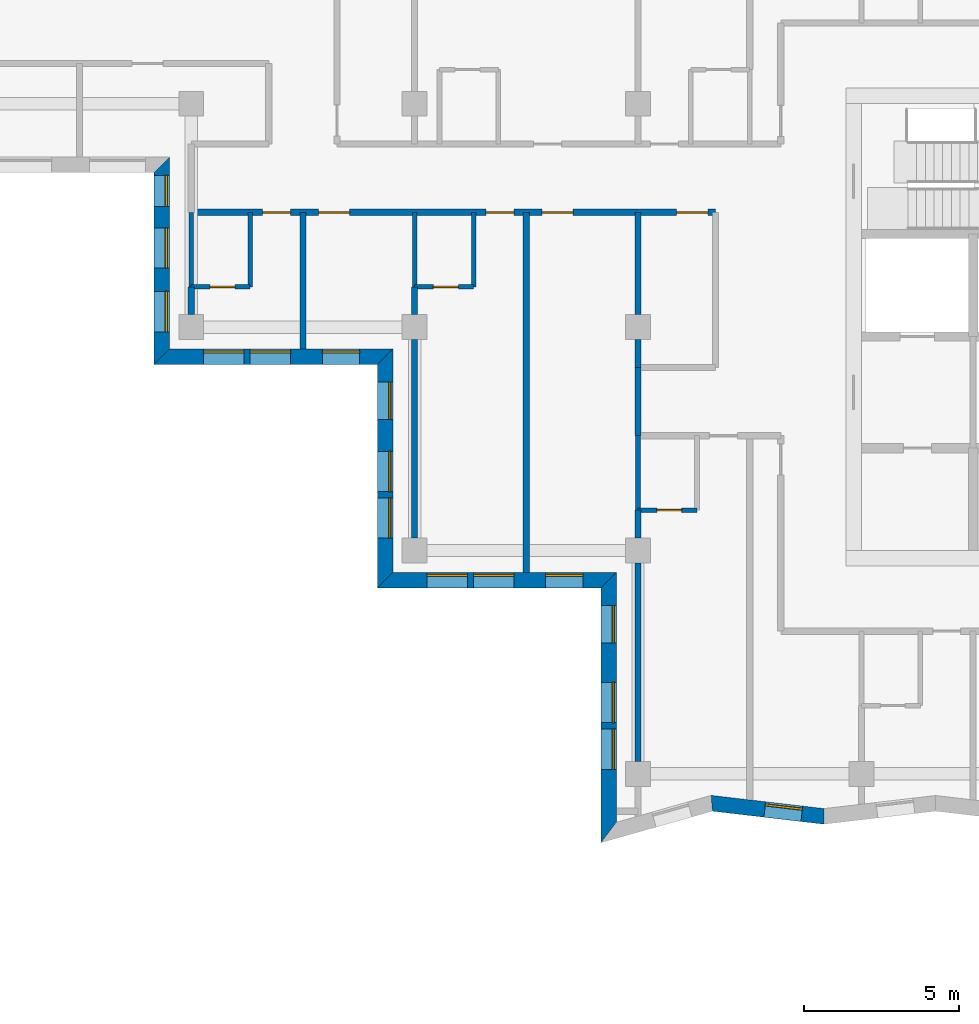
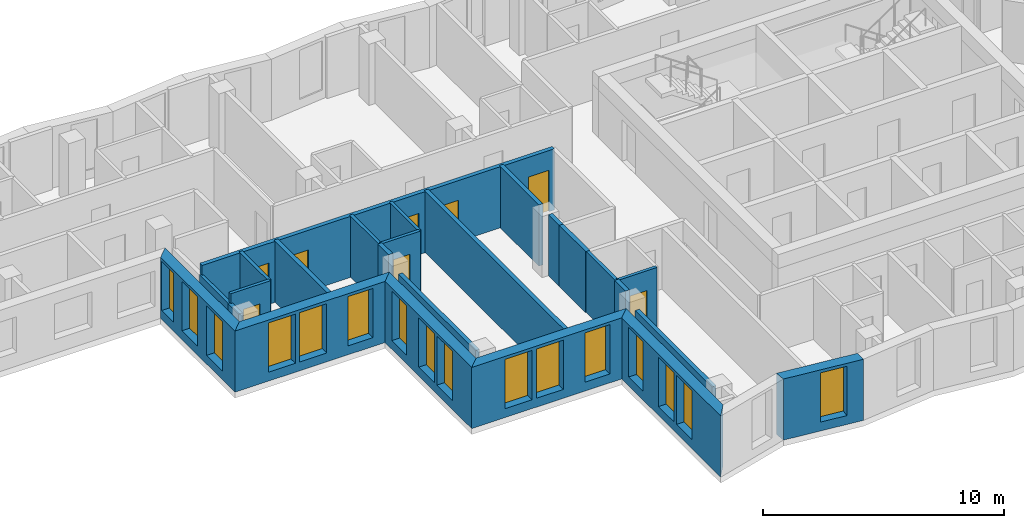
# One storey, part 2 of 13: 25 walls, 16 windows, 8 doors, 24 openings.
"""IFC4 building model written with IfcOpenShell, lengths in metres."""

import ifcopenshell
import ifcopenshell.guid

model = None  # the IFC model being written
_history = None  # IfcOwnerHistory: only IFC2X3 demands one
_inside = {}  # id of a spatial element -> (the spatial element, [elements in it])
_under = {}  # id of a project, library or spatial element -> (it, [spatial elements below it])
_declared = {}  # id of a project -> (the project, [libraries it declares])
_typed = {}  # id of a type object -> (the type object, [elements of that type])
_made_of = {}  # id of a material, layer set ... -> (it, [elements and type objects made of it])


def new_model(schema):
    """Start an empty IFC model of exactly this schema.

    Asked for "IFC4X3", IfcOpenShell would pick the latest addendum, in which some entities
    have other attributes; the version numbers below select the first issue.
    IFC2X3 requires an IfcOwnerHistory on every rooted entity: one is made here for all.
    """
    global model, _history
    if schema == "IFC4X3":
        model = ifcopenshell.file(schema_version=(4, 3, 0, 0))
    else:
        model = ifcopenshell.file(schema=schema)
    _inside.clear()
    _under.clear()
    _declared.clear()
    _typed.clear()
    _made_of.clear()
    _history = None
    if model.schema == "IFC2X3":
        org = make("IfcOrganization", Name="unknown")
        user = make(
            "IfcPersonAndOrganization",
            ThePerson=make("IfcPerson", FamilyName="unknown"),
            TheOrganization=org,
        )
        app = make(
            "IfcApplication",
            ApplicationDeveloper=org,
            Version="unknown",
            ApplicationFullName="unknown",
            ApplicationIdentifier="unknown",
        )
        _history = make(
            "IfcOwnerHistory",
            OwningUser=user,
            OwningApplication=app,
            ChangeAction="ADDED",
            CreationDate=0,
        )
    return model


def make(cls, **values):
    """One entity of the class cls with the attributes given. An attribute that is None is left unset."""
    return model.create_entity(
        cls, **{name: value for name, value in values.items() if value is not None}
    )


def rooted(cls, **values):
    """An entity with a GlobalId (a new one), such as an element, a storey or a relation."""
    return make(cls, GlobalId=ifcopenshell.guid.new(), OwnerHistory=_history, **values)


def si_unit(unit_type, name, prefix=None):
    """IfcSIUnit, for example si_unit("LENGTHUNIT", "METRE", prefix="MILLI")."""
    return make("IfcSIUnit", UnitType=unit_type, Prefix=prefix, Name=name)


def assignment(units):
    """IfcUnitAssignment: the units of a project."""
    return None if units is None else make("IfcUnitAssignment", Units=units)


def point(xyz):
    """IfcCartesianPoint."""
    return None if xyz is None else make("IfcCartesianPoint", Coordinates=xyz)


def direction(xyz):
    """IfcDirection."""
    return None if xyz is None else make("IfcDirection", DirectionRatios=xyz)


def frame(location, z_axis=None, x_axis=None):
    """IfcAxis2Placement3D, a coordinate frame: its origin and axes. An axis left out is left unset."""
    return make(
        "IfcAxis2Placement3D",
        Location=point(location),
        Axis=direction(z_axis),
        RefDirection=direction(x_axis),
    )


def frame_2d(location, x_axis=None):
    """IfcAxis2Placement2D, a coordinate frame in the plane: its origin and x axis."""
    return make(
        "IfcAxis2Placement2D", Location=point(location), RefDirection=direction(x_axis)
    )


def origin():
    """The frame at (0, 0, 0) with its axes left unset."""
    return frame((0.0, 0.0, 0.0))


def place(relative_to, where):
    """IfcLocalPlacement: puts the frame where relative to a parent placement (None: the world)."""
    return make(
        "IfcLocalPlacement", PlacementRelTo=relative_to, RelativePlacement=where
    )


def context(
    kind, dimensions, precision=None, world=None, true_north=None, identifier=None
):
    """IfcGeometricRepresentationContext, for example the 3D "Model" context."""
    return make(
        "IfcGeometricRepresentationContext",
        ContextIdentifier=identifier,
        ContextType=kind,
        CoordinateSpaceDimension=dimensions,
        Precision=precision,
        WorldCoordinateSystem=world,
        TrueNorth=true_north,
    )


def subcontext(parent, identifier, kind, view, scale=None):
    """IfcGeometricRepresentationSubContext, for example "Body" below "Model"."""
    return make(
        "IfcGeometricRepresentationSubContext",
        ContextIdentifier=identifier,
        ContextType=kind,
        ParentContext=parent,
        TargetScale=scale,
        TargetView=view,
    )


def project(units=None, contexts=None):
    """IfcProject with its units and contexts."""
    return rooted(
        "IfcProject",
        Name="project",
        RepresentationContexts=contexts,
        UnitsInContext=assignment(units),
    )


def spatial(cls, under=None, at=None, **own):
    """A site, building, storey or space (cls), placed at a placement, below another one or the project."""
    s = rooted(cls, ObjectPlacement=at, **own)
    if under is not None:
        _under.setdefault(under.id(), (under, []))[1].append(s)
    return s


def polyline(points):
    """IfcPolyline through the points."""
    return make("IfcPolyline", Points=[point(p) for p in points])


def profile(cls, at=None, kind="AREA", **sizes):
    """A parametric profile (cls). Its sizes go by their IFC names, for example OverallWidth=200.0."""
    return make(cls, ProfileType=kind, Position=at, **sizes)


def rectangle(**sizes):
    """IfcRectangleProfileDef."""
    return profile("IfcRectangleProfileDef", **sizes)


def outline(outer, holes=None, kind="AREA"):
    """IfcArbitraryClosedProfileDef: a profile drawn as a closed curve; with holes, ...WithVoids."""
    if holes is None:
        return make("IfcArbitraryClosedProfileDef", ProfileType=kind, OuterCurve=outer)
    return make(
        "IfcArbitraryProfileDefWithVoids",
        ProfileType=kind,
        OuterCurve=outer,
        InnerCurves=holes,
    )


def extrude(swept, where, along, depth):
    """IfcExtrudedAreaSolid: the profile swept, set in the frame where, extruded along a direction by depth."""
    return make(
        "IfcExtrudedAreaSolid",
        SweptArea=swept,
        Position=where,
        ExtrudedDirection=direction(along),
        Depth=depth,
    )


def shape(context_of_items, identifier, shape_type, items):
    """IfcShapeRepresentation: the items that make up one representation, for example the "Body"."""
    return make(
        "IfcShapeRepresentation",
        ContextOfItems=context_of_items,
        RepresentationIdentifier=identifier,
        RepresentationType=shape_type,
        Items=items,
    )


def material(Name=None, Category=None):
    """IfcMaterial."""
    return make("IfcMaterial", Name=Name, Category=Category)


def layer(
    of_material, thickness, ventilated=None, Name=None, Category=None, Priority=None
):
    """IfcMaterialLayer: one layer of a wall or slab, of a material (None: an air gap)."""
    return make(
        "IfcMaterialLayer",
        Material=of_material,
        LayerThickness=thickness,
        IsVentilated=ventilated,
        Name=Name,
        Category=Category,
        Priority=Priority,
    )


def layer_set(layers, Name=None):
    """IfcMaterialLayerSet."""
    return make("IfcMaterialLayerSet", MaterialLayers=layers, LayerSetName=Name)


def made_of(thing, what):
    """Note that an element or type object is made of a material, layer set ...; save() writes the relation."""
    if what is not None:
        _made_of.setdefault(what.id(), (what, []))[1].append(thing)
    return thing


def type_object(cls, material=None, **own):
    """A type object (cls), such as IfcWallType, which elements share."""
    return made_of(rooted(cls, **own), material)


def element(
    cls,
    number,
    at=None,
    inside=None,
    cuts=None,
    type_object=None,
    material=None,
    context=None,
    identifier="Body",
    shape_type=None,
    held_by="IfcProductDefinitionShape",
    body=None,
    shapes=None,
    **own,
):
    """One element of the class cls, such as IfcWall. Its Tag is "e" and its number.

    at: its placement. inside: the storey or other place that contains it. cuts: it is an
    opening in that element (IfcRelVoidsElement). A single representation is given by context,
    identifier, shape_type and body (its items); several are given by shapes. held_by: the class
    of the entity that holds the representations. save() writes the other relations.
    """
    e = rooted(cls, Tag="e%d" % number, ObjectPlacement=at, **own)
    if body is not None:
        shapes = [shape(context, identifier, shape_type, body)]
    if shapes is not None:
        e.Representation = make(held_by, Representations=shapes)
    if inside is not None:
        _inside.setdefault(inside.id(), (inside, []))[1].append(e)
    if cuts is not None:
        rooted(
            "IfcRelVoidsElement", RelatingBuildingElement=cuts, RelatedOpeningElement=e
        )
    if type_object is not None:
        _typed.setdefault(type_object.id(), (type_object, []))[1].append(e)
    return made_of(e, material)


def fill(opening, filler):
    """IfcRelFillsElement: the door or window that sits in an opening."""
    return rooted(
        "IfcRelFillsElement",
        RelatingOpeningElement=opening,
        RelatedBuildingElement=filler,
    )


def aggregate(whole, parts):
    """IfcRelAggregates: a whole, such as a stair, and the parts it consists of."""
    return rooted("IfcRelAggregates", RelatingObject=whole, RelatedObjects=parts)


def save(model, path):
    """Write the relations noted so far, then the file.

    IfcRelAggregates (storeys below a building ...), IfcRelContainedInSpatialStructure (elements
    in a storey), IfcRelDefinesByType, IfcRelAssociatesMaterial and IfcRelDeclares: one each for
    every whole, place, type object, material and project.
    """
    for whole, parts in _under.values():
        aggregate(whole, parts)
    for where, things in _inside.values():
        rooted(
            "IfcRelContainedInSpatialStructure",
            RelatedElements=things,
            RelatingStructure=where,
        )
    for kind, things in _typed.values():
        rooted("IfcRelDefinesByType", RelatedObjects=things, RelatingType=kind)
    for what, things in _made_of.values():
        rooted("IfcRelAssociatesMaterial", RelatedObjects=things, RelatingMaterial=what)
    for by, libraries in _declared.values():
        rooted("IfcRelDeclares", RelatingContext=by, RelatedDefinitions=libraries)
    model.write(path)


model = new_model("IFC4")

# Units and contexts
model_context = context("Model", 3, precision=1e-05, world=origin(), true_north=direction((0.0, 1.0)))
body_context = subcontext(model_context, "Body", "Model", "MODEL_VIEW")
ifc_project = project(units=[si_unit("LENGTHUNIT", "METRE"), si_unit("AREAUNIT", "SQUARE_METRE"), si_unit("VOLUMEUNIT", "CUBIC_METRE"), si_unit("PLANEANGLEUNIT", "RADIAN"), si_unit("MASSUNIT", "GRAM", prefix="KILO")], contexts=[model_context])

# Site, building, storey
site_placement = place(None, origin())
site = spatial("IfcSite", under=ifc_project, at=site_placement, CompositionType="ELEMENT")
building_placement = place(site_placement, origin())
building = spatial("IfcBuilding", under=site, at=building_placement, Name="Windrow Commons", CompositionType="ELEMENT")
storey_placement = place(building_placement, frame((0.0, 0.0, 203.2)))
storey = spatial("IfcBuildingStorey", under=building, at=storey_placement, Name="L55", CompositionType="ELEMENT", Elevation=203.2)

# Wall, openings, windows
ifc_material_1 = material(Name="Brick masonry, red clay brick", Category="masonry")
ifc_layer_1 = layer(ifc_material_1, 0.5)
ifc_layer_set_1 = layer_set([ifc_layer_1], Name="Brick facade wall 500")
wall_type_1 = type_object("IfcWallType", Name="Brick facade wall 500", PredefinedType="SOLIDWALL", material=ifc_layer_set_1)
wall_1_placement = place(storey_placement, frame((35.05, 62.829, 0.0), z_axis=(0.0, 0.0, 1.0), x_axis=(0.0, -1.0, 0.0)))
wall_1 = element("IfcWall", 1, at=wall_1_placement, inside=storey, type_object=wall_type_1, Name="Brick facade wall L55 35", PredefinedType="SOLIDWALL", context=body_context, shape_type="SweptSolid", body=[
    extrude(outline(polyline([(0.25, -0.25), (6.429, -0.25), (5.929, 0.25), (-0.25, 0.25), (0.25, -0.25)])), origin(), (0.0, 0.0, 1.0), 3.1),
])
opening_1_placement = place(wall_1_placement, frame((2.029, 0.0, 0.45)))
opening_1 = element("IfcOpeningElement", 2, at=opening_1_placement, cuts=wall_1, Name="Opening W1Q", PredefinedType="OPENING", context=body_context, shape_type="SweptSolid", body=[
    extrude(rectangle(XDim=1.3, YDim=2.5, at=frame_2d((0.65, 1.25))), frame((0.0, 0.26, 0.0), z_axis=(0.0, -1.0, 0.0), x_axis=(1.0, 0.0, 0.0)), (0.0, 0.0, 1.0), 0.52),
])
opening_2_placement = place(wall_1_placement, frame((4.079, 0.0, 0.45)))
opening_2 = element("IfcOpeningElement", 3, at=opening_2_placement, cuts=wall_1, Name="Opening W1Q", PredefinedType="OPENING", context=body_context, shape_type="SweptSolid", body=[
    extrude(rectangle(XDim=1.3, YDim=2.5, at=frame_2d((0.65, 1.25))), frame((0.0, 0.26, 0.0), z_axis=(0.0, -1.0, 0.0), x_axis=(1.0, 0.0, 0.0)), (0.0, 0.0, 1.0), 0.52),
])
opening_3_placement = place(wall_1_placement, frame((0.3395, 0.0, 0.45)))
opening_3 = element("IfcOpeningElement", 4, at=opening_3_placement, cuts=wall_1, Name="Opening W1S", PredefinedType="OPENING", context=body_context, shape_type="SweptSolid", body=[
    extrude(rectangle(XDim=1.0, YDim=2.5, at=frame_2d((0.5, 1.25))), frame((0.0, 0.26, 0.0), z_axis=(0.0, -1.0, 0.0), x_axis=(1.0, 0.0, 0.0)), (0.0, 0.0, 1.0), 0.52),
])
ifc_material_2 = material(Name="Clear float glass in anodised aluminium frame", Category="aluminium")
window_type_1 = type_object("IfcWindowType", Name="Window W1Q pair 1300x2500", PartitioningType="SINGLE_PANEL", PredefinedType="WINDOW", material=ifc_material_2)
window_1_placement = place(opening_1_placement, origin())
window_1 = element("IfcWindow", 5, at=window_1_placement, inside=storey, type_object=window_type_1, Name="Window L55 35.1A", OverallHeight=2.5, OverallWidth=1.3, PartitioningType="SINGLE_PANEL", PredefinedType="WINDOW", context=body_context, shape_type="SweptSolid", body=[
    extrude(rectangle(XDim=1.3, YDim=2.5, at=frame_2d((0.65, 1.25))), frame((0.0, 0.18, 0.0), z_axis=(0.0, -1.0, 0.0), x_axis=(1.0, 0.0, 0.0)), (0.0, 0.0, 1.0), 0.06),
])
fill(opening_1, window_1)
window_2_placement = place(opening_2_placement, origin())
window_2 = element("IfcWindow", 6, at=window_2_placement, inside=storey, type_object=window_type_1, Name="Window L55 35.1B", OverallHeight=2.5, OverallWidth=1.3, PartitioningType="SINGLE_PANEL", PredefinedType="WINDOW", context=body_context, shape_type="SweptSolid", body=[
    extrude(rectangle(XDim=1.3, YDim=2.5, at=frame_2d((0.65, 1.25))), frame((0.0, 0.18, 0.0), z_axis=(0.0, -1.0, 0.0), x_axis=(1.0, 0.0, 0.0)), (0.0, 0.0, 1.0), 0.06),
])
fill(opening_2, window_2)
ifc_material_3 = material(Name="Clear float glass in anodised aluminium frame", Category="aluminium")
window_type_2 = type_object("IfcWindowType", Name="Window W1S slit 1000x2500", PartitioningType="SINGLE_PANEL", PredefinedType="WINDOW", material=ifc_material_3)
window_3_placement = place(opening_3_placement, origin())
window_3 = element("IfcWindow", 7, at=window_3_placement, inside=storey, type_object=window_type_2, Name="Window L55 35.2A", OverallHeight=2.5, OverallWidth=1.0, PartitioningType="SINGLE_PANEL", PredefinedType="WINDOW", context=body_context, shape_type="SweptSolid", body=[
    extrude(rectangle(XDim=1.0, YDim=2.5, at=frame_2d((0.5, 1.25))), frame((0.0, 0.18, 0.0), z_axis=(0.0, -1.0, 0.0), x_axis=(1.0, 0.0, 0.0)), (0.0, 0.0, 1.0), 0.06),
])
fill(opening_3, window_3)

wall_2_placement = place(storey_placement, frame((35.05, 56.65, 0.0), z_axis=(0.0, 0.0, 1.0), x_axis=(1.0, 0.0, 0.0)))
wall_2 = element("IfcWall", 8, at=wall_2_placement, inside=storey, type_object=wall_type_1, Name="Brick facade wall L55 36", PredefinedType="SOLIDWALL", context=body_context, shape_type="SweptSolid", body=[
    extrude(outline(polyline([(-0.25, -0.25), (6.95, -0.25), (7.45, 0.25), (0.25, 0.25), (-0.25, -0.25)])), origin(), (0.0, 0.0, 1.0), 3.1),
])
opening_4_placement = place(wall_2_placement, frame((1.35, 0.0, 0.45)))
opening_4 = element("IfcOpeningElement", 9, at=opening_4_placement, cuts=wall_2, Name="Opening W1Q", PredefinedType="OPENING", context=body_context, shape_type="SweptSolid", body=[
    extrude(rectangle(XDim=1.3, YDim=2.5, at=frame_2d((0.65, 1.25))), frame((0.0, 0.26, 0.0), z_axis=(0.0, -1.0, 0.0), x_axis=(1.0, 0.0, 0.0)), (0.0, 0.0, 1.0), 0.52),
])
opening_5_placement = place(wall_2_placement, frame((2.85, 0.0, 0.45)))
opening_5 = element("IfcOpeningElement", 10, at=opening_5_placement, cuts=wall_2, Name="Opening W1Q", PredefinedType="OPENING", context=body_context, shape_type="SweptSolid", body=[
    extrude(rectangle(XDim=1.3, YDim=2.5, at=frame_2d((0.65, 1.25))), frame((0.0, 0.26, 0.0), z_axis=(0.0, -1.0, 0.0), x_axis=(1.0, 0.0, 0.0)), (0.0, 0.0, 1.0), 0.52),
])
opening_6_placement = place(wall_2_placement, frame((5.175, 0.0, 0.45)))
opening_6 = element("IfcOpeningElement", 11, at=opening_6_placement, cuts=wall_2, Name="Opening W7E", PredefinedType="OPENING", context=body_context, shape_type="SweptSolid", body=[
    extrude(rectangle(XDim=1.2, YDim=2.5, at=frame_2d((0.6, 1.25))), frame((0.0, 0.26, 0.0), z_axis=(0.0, -1.0, 0.0), x_axis=(1.0, 0.0, 0.0)), (0.0, 0.0, 1.0), 0.52),
])
window_4_placement = place(opening_4_placement, origin())
window_4 = element("IfcWindow", 12, at=window_4_placement, inside=storey, type_object=window_type_1, Name="Window L55 36.1A", OverallHeight=2.5, OverallWidth=1.3, PartitioningType="SINGLE_PANEL", PredefinedType="WINDOW", context=body_context, shape_type="SweptSolid", body=[
    extrude(rectangle(XDim=1.3, YDim=2.5, at=frame_2d((0.65, 1.25))), frame((0.0, 0.18, 0.0), z_axis=(0.0, -1.0, 0.0), x_axis=(1.0, 0.0, 0.0)), (0.0, 0.0, 1.0), 0.06),
])
fill(opening_4, window_4)
window_5_placement = place(opening_5_placement, origin())
window_5 = element("IfcWindow", 13, at=window_5_placement, inside=storey, type_object=window_type_1, Name="Window L55 36.1B", OverallHeight=2.5, OverallWidth=1.3, PartitioningType="SINGLE_PANEL", PredefinedType="WINDOW", context=body_context, shape_type="SweptSolid", body=[
    extrude(rectangle(XDim=1.3, YDim=2.5, at=frame_2d((0.65, 1.25))), frame((0.0, 0.18, 0.0), z_axis=(0.0, -1.0, 0.0), x_axis=(1.0, 0.0, 0.0)), (0.0, 0.0, 1.0), 0.06),
])
fill(opening_5, window_5)
ifc_material_4 = material(Name="Clear float glass in anodised aluminium frame", Category="aluminium")
window_type_3 = type_object("IfcWindowType", Name="Window W7 notch 1200x2500", PartitioningType="SINGLE_PANEL", PredefinedType="WINDOW", material=ifc_material_4)
window_6_placement = place(opening_6_placement, origin())
window_6 = element("IfcWindow", 14, at=window_6_placement, inside=storey, type_object=window_type_3, Name="Window L55 36.2", OverallHeight=2.5, OverallWidth=1.2, PartitioningType="SINGLE_PANEL", PredefinedType="WINDOW", context=body_context, shape_type="SweptSolid", body=[
    extrude(rectangle(XDim=1.2, YDim=2.5, at=frame_2d((0.6, 1.25))), frame((0.0, 0.18, 0.0), z_axis=(0.0, -1.0, 0.0), x_axis=(1.0, 0.0, 0.0)), (0.0, 0.0, 1.0), 0.06),
])
fill(opening_6, window_6)

wall_3_placement = place(storey_placement, frame((42.25, 56.65, 0.0), z_axis=(0.0, 0.0, 1.0), x_axis=(0.0, -1.0, 0.0)))
wall_3 = element("IfcWall", 15, at=wall_3_placement, inside=storey, type_object=wall_type_1, Name="Brick facade wall L55 37", PredefinedType="SOLIDWALL", context=body_context, shape_type="SweptSolid", body=[
    extrude(outline(polyline([(0.25, -0.25), (7.45, -0.25), (6.95, 0.25), (-0.25, 0.25), (0.25, -0.25)])), origin(), (0.0, 0.0, 1.0), 3.1),
])
opening_7_placement = place(wall_3_placement, frame((3.05, 0.0, 0.45)))
opening_7 = element("IfcOpeningElement", 16, at=opening_7_placement, cuts=wall_3, Name="Opening W1Q", PredefinedType="OPENING", context=body_context, shape_type="SweptSolid", body=[
    extrude(rectangle(XDim=1.3, YDim=2.5, at=frame_2d((0.65, 1.25))), frame((0.0, 0.26, 0.0), z_axis=(0.0, -1.0, 0.0), x_axis=(1.0, 0.0, 0.0)), (0.0, 0.0, 1.0), 0.52),
])
opening_8_placement = place(wall_3_placement, frame((4.55, 0.0, 0.45)))
opening_8 = element("IfcOpeningElement", 17, at=opening_8_placement, cuts=wall_3, Name="Opening W1Q", PredefinedType="OPENING", context=body_context, shape_type="SweptSolid", body=[
    extrude(rectangle(XDim=1.3, YDim=2.5, at=frame_2d((0.65, 1.25))), frame((0.0, 0.26, 0.0), z_axis=(0.0, -1.0, 0.0), x_axis=(1.0, 0.0, 0.0)), (0.0, 0.0, 1.0), 0.52),
])
opening_9_placement = place(wall_3_placement, frame((0.825, 0.0, 0.45)))
opening_9 = element("IfcOpeningElement", 18, at=opening_9_placement, cuts=wall_3, Name="Opening W7E", PredefinedType="OPENING", context=body_context, shape_type="SweptSolid", body=[
    extrude(rectangle(XDim=1.2, YDim=2.5, at=frame_2d((0.6, 1.25))), frame((0.0, 0.26, 0.0), z_axis=(0.0, -1.0, 0.0), x_axis=(1.0, 0.0, 0.0)), (0.0, 0.0, 1.0), 0.52),
])
window_7_placement = place(opening_7_placement, origin())
window_7 = element("IfcWindow", 19, at=window_7_placement, inside=storey, type_object=window_type_1, Name="Window L55 37.1A", OverallHeight=2.5, OverallWidth=1.3, PartitioningType="SINGLE_PANEL", PredefinedType="WINDOW", context=body_context, shape_type="SweptSolid", body=[
    extrude(rectangle(XDim=1.3, YDim=2.5, at=frame_2d((0.65, 1.25))), frame((0.0, 0.18, 0.0), z_axis=(0.0, -1.0, 0.0), x_axis=(1.0, 0.0, 0.0)), (0.0, 0.0, 1.0), 0.06),
])
fill(opening_7, window_7)
window_8_placement = place(opening_8_placement, origin())
window_8 = element("IfcWindow", 20, at=window_8_placement, inside=storey, type_object=window_type_1, Name="Window L55 37.1B", OverallHeight=2.5, OverallWidth=1.3, PartitioningType="SINGLE_PANEL", PredefinedType="WINDOW", context=body_context, shape_type="SweptSolid", body=[
    extrude(rectangle(XDim=1.3, YDim=2.5, at=frame_2d((0.65, 1.25))), frame((0.0, 0.18, 0.0), z_axis=(0.0, -1.0, 0.0), x_axis=(1.0, 0.0, 0.0)), (0.0, 0.0, 1.0), 0.06),
])
fill(opening_8, window_8)
window_9_placement = place(opening_9_placement, origin())
window_9 = element("IfcWindow", 21, at=window_9_placement, inside=storey, type_object=window_type_3, Name="Window L55 37.2", OverallHeight=2.5, OverallWidth=1.2, PartitioningType="SINGLE_PANEL", PredefinedType="WINDOW", context=body_context, shape_type="SweptSolid", body=[
    extrude(rectangle(XDim=1.2, YDim=2.5, at=frame_2d((0.6, 1.25))), frame((0.0, 0.18, 0.0), z_axis=(0.0, -1.0, 0.0), x_axis=(1.0, 0.0, 0.0)), (0.0, 0.0, 1.0), 0.06),
])
fill(opening_9, window_9)

wall_4_placement = place(storey_placement, frame((42.25, 49.45, 0.0), z_axis=(0.0, 0.0, 1.0), x_axis=(1.0, 0.0, 0.0)))
wall_4 = element("IfcWall", 22, at=wall_4_placement, inside=storey, type_object=wall_type_1, Name="Brick facade wall L55 38", PredefinedType="SOLIDWALL", context=body_context, shape_type="SweptSolid", body=[
    extrude(outline(polyline([(-0.25, -0.25), (6.95, -0.25), (7.45, 0.25), (0.25, 0.25), (-0.25, -0.25)])), origin(), (0.0, 0.0, 1.0), 3.1),
])
opening_10_placement = place(wall_4_placement, frame((1.35, 0.0, 0.45)))
opening_10 = element("IfcOpeningElement", 23, at=opening_10_placement, cuts=wall_4, Name="Opening W1Q", PredefinedType="OPENING", context=body_context, shape_type="SweptSolid", body=[
    extrude(rectangle(XDim=1.3, YDim=2.5, at=frame_2d((0.65, 1.25))), frame((0.0, 0.26, 0.0), z_axis=(0.0, -1.0, 0.0), x_axis=(1.0, 0.0, 0.0)), (0.0, 0.0, 1.0), 0.52),
])
opening_11_placement = place(wall_4_placement, frame((2.85, 0.0, 0.45)))
opening_11 = element("IfcOpeningElement", 24, at=opening_11_placement, cuts=wall_4, Name="Opening W1Q", PredefinedType="OPENING", context=body_context, shape_type="SweptSolid", body=[
    extrude(rectangle(XDim=1.3, YDim=2.5, at=frame_2d((0.65, 1.25))), frame((0.0, 0.26, 0.0), z_axis=(0.0, -1.0, 0.0), x_axis=(1.0, 0.0, 0.0)), (0.0, 0.0, 1.0), 0.52),
])
opening_12_placement = place(wall_4_placement, frame((5.175, 0.0, 0.45)))
opening_12 = element("IfcOpeningElement", 25, at=opening_12_placement, cuts=wall_4, Name="Opening W7E", PredefinedType="OPENING", context=body_context, shape_type="SweptSolid", body=[
    extrude(rectangle(XDim=1.2, YDim=2.5, at=frame_2d((0.6, 1.25))), frame((0.0, 0.26, 0.0), z_axis=(0.0, -1.0, 0.0), x_axis=(1.0, 0.0, 0.0)), (0.0, 0.0, 1.0), 0.52),
])
window_10_placement = place(opening_10_placement, origin())
window_10 = element("IfcWindow", 26, at=window_10_placement, inside=storey, type_object=window_type_1, Name="Window L55 38.1A", OverallHeight=2.5, OverallWidth=1.3, PartitioningType="SINGLE_PANEL", PredefinedType="WINDOW", context=body_context, shape_type="SweptSolid", body=[
    extrude(rectangle(XDim=1.3, YDim=2.5, at=frame_2d((0.65, 1.25))), frame((0.0, 0.18, 0.0), z_axis=(0.0, -1.0, 0.0), x_axis=(1.0, 0.0, 0.0)), (0.0, 0.0, 1.0), 0.06),
])
fill(opening_10, window_10)
window_11_placement = place(opening_11_placement, origin())
window_11 = element("IfcWindow", 27, at=window_11_placement, inside=storey, type_object=window_type_1, Name="Window L55 38.1B", OverallHeight=2.5, OverallWidth=1.3, PartitioningType="SINGLE_PANEL", PredefinedType="WINDOW", context=body_context, shape_type="SweptSolid", body=[
    extrude(rectangle(XDim=1.3, YDim=2.5, at=frame_2d((0.65, 1.25))), frame((0.0, 0.18, 0.0), z_axis=(0.0, -1.0, 0.0), x_axis=(1.0, 0.0, 0.0)), (0.0, 0.0, 1.0), 0.06),
])
fill(opening_11, window_11)
window_12_placement = place(opening_12_placement, origin())
window_12 = element("IfcWindow", 28, at=window_12_placement, inside=storey, type_object=window_type_3, Name="Window L55 38.2", OverallHeight=2.5, OverallWidth=1.2, PartitioningType="SINGLE_PANEL", PredefinedType="WINDOW", context=body_context, shape_type="SweptSolid", body=[
    extrude(rectangle(XDim=1.2, YDim=2.5, at=frame_2d((0.6, 1.25))), frame((0.0, 0.18, 0.0), z_axis=(0.0, -1.0, 0.0), x_axis=(1.0, 0.0, 0.0)), (0.0, 0.0, 1.0), 0.06),
])
fill(opening_12, window_12)

wall_5_placement = place(storey_placement, frame((49.45, 49.45, 0.0), z_axis=(0.0, 0.0, 1.0), x_axis=(0.0, -1.0, 0.0)))
wall_5 = element("IfcWall", 29, at=wall_5_placement, inside=storey, type_object=wall_type_1, Name="Brick facade wall L55 39", PredefinedType="SOLIDWALL", context=body_context, shape_type="SweptSolid", body=[
    extrude(outline(polyline([(0.25, -0.25), (8.471, -0.25), (7.8093, 0.25), (-0.25, 0.25), (0.25, -0.25)])), origin(), (0.0, 0.0, 1.0), 3.1),
])
opening_13_placement = place(wall_5_placement, frame((3.3, 0.0, 0.45)))
opening_13 = element("IfcOpeningElement", 30, at=opening_13_placement, cuts=wall_5, Name="Opening W1Q", PredefinedType="OPENING", context=body_context, shape_type="SweptSolid", body=[
    extrude(rectangle(XDim=1.3, YDim=2.5, at=frame_2d((0.65, 1.25))), frame((0.0, 0.26, 0.0), z_axis=(0.0, -1.0, 0.0), x_axis=(1.0, 0.0, 0.0)), (0.0, 0.0, 1.0), 0.52),
])
opening_14_placement = place(wall_5_placement, frame((4.8, 0.0, 0.45)))
opening_14 = element("IfcOpeningElement", 31, at=opening_14_placement, cuts=wall_5, Name="Opening W1Q", PredefinedType="OPENING", context=body_context, shape_type="SweptSolid", body=[
    extrude(rectangle(XDim=1.3, YDim=2.5, at=frame_2d((0.65, 1.25))), frame((0.0, 0.26, 0.0), z_axis=(0.0, -1.0, 0.0), x_axis=(1.0, 0.0, 0.0)), (0.0, 0.0, 1.0), 0.52),
])
opening_15_placement = place(wall_5_placement, frame((0.825, 0.0, 0.45)))
opening_15 = element("IfcOpeningElement", 32, at=opening_15_placement, cuts=wall_5, Name="Opening W7E", PredefinedType="OPENING", context=body_context, shape_type="SweptSolid", body=[
    extrude(rectangle(XDim=1.2, YDim=2.5, at=frame_2d((0.6, 1.25))), frame((0.0, 0.26, 0.0), z_axis=(0.0, -1.0, 0.0), x_axis=(1.0, 0.0, 0.0)), (0.0, 0.0, 1.0), 0.52),
])
window_13_placement = place(opening_13_placement, origin())
window_13 = element("IfcWindow", 33, at=window_13_placement, inside=storey, type_object=window_type_1, Name="Window L55 39.1A", OverallHeight=2.5, OverallWidth=1.3, PartitioningType="SINGLE_PANEL", PredefinedType="WINDOW", context=body_context, shape_type="SweptSolid", body=[
    extrude(rectangle(XDim=1.3, YDim=2.5, at=frame_2d((0.65, 1.25))), frame((0.0, 0.18, 0.0), z_axis=(0.0, -1.0, 0.0), x_axis=(1.0, 0.0, 0.0)), (0.0, 0.0, 1.0), 0.06),
])
fill(opening_13, window_13)
window_14_placement = place(opening_14_placement, origin())
window_14 = element("IfcWindow", 34, at=window_14_placement, inside=storey, type_object=window_type_1, Name="Window L55 39.1B", OverallHeight=2.5, OverallWidth=1.3, PartitioningType="SINGLE_PANEL", PredefinedType="WINDOW", context=body_context, shape_type="SweptSolid", body=[
    extrude(rectangle(XDim=1.3, YDim=2.5, at=frame_2d((0.65, 1.25))), frame((0.0, 0.18, 0.0), z_axis=(0.0, -1.0, 0.0), x_axis=(1.0, 0.0, 0.0)), (0.0, 0.0, 1.0), 0.06),
])
fill(opening_14, window_14)
window_15_placement = place(opening_15_placement, origin())
window_15 = element("IfcWindow", 35, at=window_15_placement, inside=storey, type_object=window_type_3, Name="Window L55 39.2", OverallHeight=2.5, OverallWidth=1.2, PartitioningType="SINGLE_PANEL", PredefinedType="WINDOW", context=body_context, shape_type="SweptSolid", body=[
    extrude(rectangle(XDim=1.2, YDim=2.5, at=frame_2d((0.6, 1.25))), frame((0.0, 0.18, 0.0), z_axis=(0.0, -1.0, 0.0), x_axis=(1.0, 0.0, 0.0)), (0.0, 0.0, 1.0), 0.06),
])
fill(opening_15, window_15)

# Wall, opening, window
wall_6_placement = place(storey_placement, frame((52.7767, 42.2541, 0.0), z_axis=(0.0, 0.0, 1.0), x_axis=(0.9932201451, -0.1162486273, 0.0)))
wall_6 = element("IfcWall", 36, at=wall_6_placement, inside=storey, type_object=wall_type_1, Name="Brick facade wall L55 41", PredefinedType="SOLIDWALL", context=body_context, shape_type="SweptSolid", body=[
    extrude(outline(polyline([(0.0498, -0.25), (3.6714, -0.25), (3.6129, 0.25), (-0.0498, 0.25), (0.0498, -0.25)])), origin(), (0.0, 0.0, 1.0), 3.1),
])
opening_16_placement = place(wall_6_placement, frame((1.7223, 0.0, 0.45)))
opening_16 = element("IfcOpeningElement", 37, at=opening_16_placement, cuts=wall_6, Name="Opening W7E", PredefinedType="OPENING", context=body_context, shape_type="SweptSolid", body=[
    extrude(rectangle(XDim=1.2, YDim=2.5, at=frame_2d((0.6, 1.25))), frame((0.0, 0.26, 0.0), z_axis=(0.0, -1.0, 0.0), x_axis=(1.0, 0.0, 0.0)), (0.0, 0.0, 1.0), 0.52),
])
window_16_placement = place(opening_16_placement, origin())
window_16 = element("IfcWindow", 38, at=window_16_placement, inside=storey, type_object=window_type_3, Name="Window L55 41.1", OverallHeight=2.5, OverallWidth=1.2, PartitioningType="SINGLE_PANEL", PredefinedType="WINDOW", context=body_context, shape_type="SweptSolid", body=[
    extrude(rectangle(XDim=1.2, YDim=2.5, at=frame_2d((0.6, 1.25))), frame((0.0, 0.18, 0.0), z_axis=(0.0, -1.0, 0.0), x_axis=(1.0, 0.0, 0.0)), (0.0, 0.0, 1.0), 0.06),
])
fill(opening_16, window_16)

# Wall, openings, doors
ifc_material_5 = material(Name="Blockwork partition", Category="masonry")
ifc_layer_2 = layer(ifc_material_5, 0.2)
ifc_layer_set_2 = layer_set([ifc_layer_2], Name="IW-CORRIDOR-200")
wall_type_2 = type_object("IfcWallType", Name="IW-CORRIDOR-200", PredefinedType="PARTITIONING", material=ifc_layer_set_2)
wall_7_placement = place(storey_placement, frame((36.0, 61.3, 0.0), z_axis=(0.0, 0.0, 1.0), x_axis=(1.0, 0.0, 0.0)))
wall_7 = element("IfcWall", 39, at=wall_7_placement, inside=storey, type_object=wall_type_2, Name="W-L55-W004", PredefinedType="PARTITIONING", context=body_context, shape_type="SweptSolid", body=[
    extrude(rectangle(XDim=16.9, YDim=0.2, at=frame_2d((8.45, 0.0))), origin(), (0.0, 0.0, 1.0), 3.1),
])
opening_17_placement = place(wall_7_placement, frame((2.3, 0.0, 0.0)))
opening_17 = element("IfcOpeningElement", 40, at=opening_17_placement, cuts=wall_7, Name="Opening D109S", PredefinedType="OPENING", context=body_context, shape_type="SweptSolid", body=[
    extrude(rectangle(XDim=0.9, YDim=2.1, at=frame_2d((0.45, 1.05))), frame((0.0, 0.11, 0.0), z_axis=(0.0, -1.0, 0.0), x_axis=(1.0, 0.0, 0.0)), (0.0, 0.0, 1.0), 0.22),
])
opening_18_placement = place(wall_7_placement, frame((4.1075, 0.0, 0.0)))
opening_18 = element("IfcOpeningElement", 41, at=opening_18_placement, cuts=wall_7, Name="Opening D310F", PredefinedType="OPENING", context=body_context, shape_type="SweptSolid", body=[
    extrude(rectangle(XDim=1.0, YDim=2.1, at=frame_2d((0.5, 1.05))), frame((0.0, 0.11, 0.0), z_axis=(0.0, -1.0, 0.0), x_axis=(1.0, 0.0, 0.0)), (0.0, 0.0, 1.0), 0.22),
])
opening_19_placement = place(wall_7_placement, frame((9.5, 0.0, 0.0)))
opening_19 = element("IfcOpeningElement", 42, at=opening_19_placement, cuts=wall_7, Name="Opening D109S", PredefinedType="OPENING", context=body_context, shape_type="SweptSolid", body=[
    extrude(rectangle(XDim=0.9, YDim=2.1, at=frame_2d((0.45, 1.05))), frame((0.0, 0.11, 0.0), z_axis=(0.0, -1.0, 0.0), x_axis=(1.0, 0.0, 0.0)), (0.0, 0.0, 1.0), 0.22),
])
opening_20_placement = place(wall_7_placement, frame((11.3075, 0.0, 0.0)))
opening_20 = element("IfcOpeningElement", 43, at=opening_20_placement, cuts=wall_7, Name="Opening D310F", PredefinedType="OPENING", context=body_context, shape_type="SweptSolid", body=[
    extrude(rectangle(XDim=1.0, YDim=2.1, at=frame_2d((0.5, 1.05))), frame((0.0, 0.11, 0.0), z_axis=(0.0, -1.0, 0.0), x_axis=(1.0, 0.0, 0.0)), (0.0, 0.0, 1.0), 0.22),
])
opening_21_placement = place(wall_7_placement, frame((15.6471, 0.0, 0.0)))
opening_21 = element("IfcOpeningElement", 44, at=opening_21_placement, cuts=wall_7, Name="Opening D310F", PredefinedType="OPENING", context=body_context, shape_type="SweptSolid", body=[
    extrude(rectangle(XDim=1.0, YDim=2.1, at=frame_2d((0.5, 1.05))), frame((0.0, 0.11, 0.0), z_axis=(0.0, -1.0, 0.0), x_axis=(1.0, 0.0, 0.0)), (0.0, 0.0, 1.0), 0.22),
])
ifc_material_6 = material(Name="Timber door leaf", Category="wood")
door_type_1 = type_object("IfcDoorType", Name="DT-AMENITY-1000", OperationType="SINGLE_SWING_LEFT", PredefinedType="DOOR", material=ifc_material_6)
door_1_placement = place(opening_18_placement, origin())
door_1 = element("IfcDoor", 45, at=door_1_placement, inside=storey, type_object=door_type_1, Name="D-L55-D023", OperationType="SINGLE_SWING_RIGHT", OverallHeight=2.1, OverallWidth=1.0, PredefinedType="DOOR", context=body_context, shape_type="SweptSolid", body=[
    extrude(rectangle(XDim=1.0, YDim=2.1, at=frame_2d((0.5, 1.05))), frame((0.0, 0.025, 0.0), z_axis=(0.0, -1.0, 0.0), x_axis=(1.0, 0.0, 0.0)), (0.0, 0.0, 1.0), 0.05),
])
fill(opening_18, door_1)
door_2_placement = place(opening_20_placement, origin())
door_2 = element("IfcDoor", 46, at=door_2_placement, inside=storey, type_object=door_type_1, Name="D-L55-D026", OperationType="SINGLE_SWING_RIGHT", OverallHeight=2.1, OverallWidth=1.0, PredefinedType="DOOR", context=body_context, shape_type="SweptSolid", body=[
    extrude(rectangle(XDim=1.0, YDim=2.1, at=frame_2d((0.5, 1.05))), frame((0.0, 0.025, 0.0), z_axis=(0.0, -1.0, 0.0), x_axis=(1.0, 0.0, 0.0)), (0.0, 0.0, 1.0), 0.05),
])
fill(opening_20, door_2)
door_3_placement = place(opening_21_placement, origin())
door_3 = element("IfcDoor", 47, at=door_3_placement, inside=storey, type_object=door_type_1, Name="D-L55-D027", OperationType="SINGLE_SWING_LEFT", OverallHeight=2.1, OverallWidth=1.0, PredefinedType="DOOR", context=body_context, shape_type="SweptSolid", body=[
    extrude(rectangle(XDim=1.0, YDim=2.1, at=frame_2d((0.5, 1.05))), frame((0.0, 0.025, 0.0), z_axis=(0.0, -1.0, 0.0), x_axis=(1.0, 0.0, 0.0)), (0.0, 0.0, 1.0), 0.05),
])
fill(opening_21, door_3)
ifc_material_7 = material(Name="Timber door leaf", Category="wood")
door_type_2 = type_object("IfcDoorType", Name="DT-BEDROOM-900", OperationType="SINGLE_SWING_LEFT", PredefinedType="DOOR", material=ifc_material_7)
door_4_placement = place(opening_17_placement, origin())
door_4 = element("IfcDoor", 48, at=door_4_placement, inside=storey, type_object=door_type_2, Name="D-L55-D012", OperationType="SINGLE_SWING_LEFT", OverallHeight=2.1, OverallWidth=0.9, PredefinedType="DOOR", context=body_context, shape_type="SweptSolid", body=[
    extrude(rectangle(XDim=0.9, YDim=2.1, at=frame_2d((0.45, 1.05))), frame((0.0, 0.025, 0.0), z_axis=(0.0, -1.0, 0.0), x_axis=(1.0, 0.0, 0.0)), (0.0, 0.0, 1.0), 0.05),
])
fill(opening_17, door_4)
door_5_placement = place(opening_19_placement, origin())
door_5 = element("IfcDoor", 49, at=door_5_placement, inside=storey, type_object=door_type_2, Name="D-L55-D024", OperationType="SINGLE_SWING_LEFT", OverallHeight=2.1, OverallWidth=0.9, PredefinedType="DOOR", context=body_context, shape_type="SweptSolid", body=[
    extrude(rectangle(XDim=0.9, YDim=2.1, at=frame_2d((0.45, 1.05))), frame((0.0, 0.025, 0.0), z_axis=(0.0, -1.0, 0.0), x_axis=(1.0, 0.0, 0.0)), (0.0, 0.0, 1.0), 0.05),
])
fill(opening_19, door_5)

# Walls
wall_8_placement = place(storey_placement, frame((50.4, 54.1, 0.0), z_axis=(0.0, 0.0, 1.0), x_axis=(0.0, 1.0, 0.0)))
element("IfcWall", 50, at=wall_8_placement, inside=storey, type_object=wall_type_2, Name="W-L55-W095", PredefinedType="PARTITIONING", context=body_context, shape_type="SweptSolid", body=[
    extrude(rectangle(XDim=2.2, YDim=0.2, at=frame_2d((1.1, 0.0))), origin(), (0.0, 0.0, 1.0), 3.1),
])
ifc_material_8 = material(Name="Blockwork partition", Category="masonry")
ifc_layer_3 = layer(ifc_material_8, 0.15)
ifc_layer_set_3 = layer_set([ifc_layer_3], Name="IW-ENSUITE-150")
wall_type_3 = type_object("IfcWallType", Name="IW-ENSUITE-150", PredefinedType="PARTITIONING", material=ifc_layer_set_3)
wall_9_placement = place(storey_placement, frame((37.9, 58.9, 0.0), z_axis=(0.0, 0.0, 1.0), x_axis=(0.0, 1.0, 0.0)))
element("IfcWall", 51, at=wall_9_placement, inside=storey, type_object=wall_type_3, Name="W-L55-W074", PredefinedType="PARTITIONING", context=body_context, shape_type="SweptSolid", body=[
    extrude(rectangle(XDim=2.4, YDim=0.15, at=frame_2d((1.2, 0.0))), origin(), (0.0, 0.0, 1.0), 3.1),
])
wall_10_placement = place(storey_placement, frame((36.0, 58.9, 0.0), z_axis=(0.0, 0.0, 1.0), x_axis=(0.0, 1.0, 0.0)))
element("IfcWall", 52, at=wall_10_placement, inside=storey, type_object=wall_type_3, Name="W-L55-W075", PredefinedType="PARTITIONING", context=body_context, shape_type="SweptSolid", body=[
    extrude(rectangle(XDim=2.4, YDim=0.15, at=frame_2d((1.2, 0.0))), origin(), (0.0, 0.0, 1.0), 2.6),
])
for number, where, z_axis, x_axis, name in (
    (53, (45.1, 58.9, 0.0), (0.0, 0.0, 1.0), (0.0, 1.0, 0.0), "W-L55-W076"),
    (54, (43.2, 58.9, 0.0), (0.0, 0.0, 1.0), (0.0, 1.0, 0.0), "W-L55-W077"),
    (55, (50.4, 51.7, 0.0), (0.0, 0.0, 1.0), (0.0, 1.0, 0.0), "W-L55-W079"),
):
    element("IfcWall", number, at=place(storey_placement, frame(where, z_axis=z_axis, x_axis=x_axis)), inside=storey, type_object=wall_type_3, Name=name, PredefinedType="PARTITIONING", context=body_context, shape_type="SweptSolid", body=[
        extrude(rectangle(XDim=2.4, YDim=0.15, at=frame_2d((1.2, 0.0))), origin(), (0.0, 0.0, 1.0), 3.1),
    ])

# Wall, opening, door
wall_11_placement = place(storey_placement, frame((36.0, 58.9, 0.0), z_axis=(0.0, 0.0, 1.0), x_axis=(1.0, 0.0, 0.0)))
wall_11 = element("IfcWall", 56, at=wall_11_placement, inside=storey, type_object=wall_type_3, Name="W-L55-W115", PredefinedType="PARTITIONING", context=body_context, shape_type="SweptSolid", body=[
    extrude(rectangle(XDim=1.9, YDim=0.15, at=frame_2d((0.95, 0.0))), origin(), (0.0, 0.0, 1.0), 3.1),
])
opening_22_placement = place(wall_11_placement, frame((0.6069, 0.0, 0.0)))
opening_22 = element("IfcOpeningElement", 57, at=opening_22_placement, cuts=wall_11, Name="Opening D208N", PredefinedType="OPENING", context=body_context, shape_type="SweptSolid", body=[
    extrude(rectangle(XDim=0.8, YDim=2.1, at=frame_2d((0.4, 1.05))), frame((0.0, 0.085, 0.0), z_axis=(0.0, -1.0, 0.0), x_axis=(1.0, 0.0, 0.0)), (0.0, 0.0, 1.0), 0.17),
])
ifc_material_9 = material(Name="Timber door leaf", Category="wood")
door_type_3 = type_object("IfcDoorType", Name="DT-ENSUITE-800", OperationType="SINGLE_SWING_LEFT", PredefinedType="DOOR", material=ifc_material_9)
door_6_placement = place(opening_22_placement, origin())
door_6 = element("IfcDoor", 58, at=door_6_placement, inside=storey, type_object=door_type_3, Name="D-L55-D013", OperationType="SINGLE_SWING_RIGHT", OverallHeight=2.1, OverallWidth=0.8, PredefinedType="DOOR", context=body_context, shape_type="SweptSolid", body=[
    extrude(rectangle(XDim=0.8, YDim=2.1, at=frame_2d((0.4, 1.05))), frame((0.0, 0.025, 0.0), z_axis=(0.0, -1.0, 0.0), x_axis=(1.0, 0.0, 0.0)), (0.0, 0.0, 1.0), 0.05),
])
fill(opening_22, door_6)

wall_12_placement = place(storey_placement, frame((43.2, 58.9, 0.0), z_axis=(0.0, 0.0, 1.0), x_axis=(1.0, 0.0, 0.0)))
wall_12 = element("IfcWall", 59, at=wall_12_placement, inside=storey, type_object=wall_type_3, Name="W-L55-W116", PredefinedType="PARTITIONING", context=body_context, shape_type="SweptSolid", body=[
    extrude(rectangle(XDim=1.9, YDim=0.15, at=frame_2d((0.95, 0.0))), origin(), (0.0, 0.0, 1.0), 3.1),
])
opening_23_placement = place(wall_12_placement, frame((0.6069, 0.0, 0.0)))
opening_23 = element("IfcOpeningElement", 60, at=opening_23_placement, cuts=wall_12, Name="Opening D208N", PredefinedType="OPENING", context=body_context, shape_type="SweptSolid", body=[
    extrude(rectangle(XDim=0.8, YDim=2.1, at=frame_2d((0.4, 1.05))), frame((0.0, 0.085, 0.0), z_axis=(0.0, -1.0, 0.0), x_axis=(1.0, 0.0, 0.0)), (0.0, 0.0, 1.0), 0.17),
])
door_7_placement = place(opening_23_placement, origin())
door_7 = element("IfcDoor", 61, at=door_7_placement, inside=storey, type_object=door_type_3, Name="D-L55-D025", OperationType="SINGLE_SWING_RIGHT", OverallHeight=2.1, OverallWidth=0.8, PredefinedType="DOOR", context=body_context, shape_type="SweptSolid", body=[
    extrude(rectangle(XDim=0.8, YDim=2.1, at=frame_2d((0.4, 1.05))), frame((0.0, 0.025, 0.0), z_axis=(0.0, -1.0, 0.0), x_axis=(1.0, 0.0, 0.0)), (0.0, 0.0, 1.0), 0.05),
])
fill(opening_23, door_7)

wall_13_placement = place(storey_placement, frame((50.4, 51.7, 0.0), z_axis=(0.0, 0.0, 1.0), x_axis=(1.0, 0.0, 0.0)))
wall_13 = element("IfcWall", 62, at=wall_13_placement, inside=storey, type_object=wall_type_3, Name="W-L55-W119", PredefinedType="PARTITIONING", context=body_context, shape_type="SweptSolid", body=[
    extrude(rectangle(XDim=1.9, YDim=0.15, at=frame_2d((0.95, 0.0))), origin(), (0.0, 0.0, 1.0), 3.1),
])
opening_24_placement = place(wall_13_placement, frame((0.6069, 0.0, 0.0)))
opening_24 = element("IfcOpeningElement", 63, at=opening_24_placement, cuts=wall_13, Name="Opening D208N", PredefinedType="OPENING", context=body_context, shape_type="SweptSolid", body=[
    extrude(rectangle(XDim=0.8, YDim=2.1, at=frame_2d((0.4, 1.05))), frame((0.0, 0.085, 0.0), z_axis=(0.0, -1.0, 0.0), x_axis=(1.0, 0.0, 0.0)), (0.0, 0.0, 1.0), 0.17),
])
door_8_placement = place(opening_24_placement, origin())
door_8 = element("IfcDoor", 64, at=door_8_placement, inside=storey, type_object=door_type_3, Name="D-L55-D030", OperationType="SINGLE_SWING_RIGHT", OverallHeight=2.1, OverallWidth=0.8, PredefinedType="DOOR", context=body_context, shape_type="SweptSolid", body=[
    extrude(rectangle(XDim=0.8, YDim=2.1, at=frame_2d((0.4, 1.05))), frame((0.0, 0.025, 0.0), z_axis=(0.0, -1.0, 0.0), x_axis=(1.0, 0.0, 0.0)), (0.0, 0.0, 1.0), 0.05),
])
fill(opening_24, door_8)

# Walls
ifc_material_10 = material(Name="Blockwork partition", Category="masonry")
ifc_layer_4 = layer(ifc_material_10, 0.2)
ifc_layer_set_4 = layer_set([ifc_layer_4], Name="IW-PARTY-200")
wall_type_4 = type_object("IfcWallType", Name="IW-PARTY-200", PredefinedType="PARTITIONING", material=ifc_layer_set_4)
wall_14_placement = place(storey_placement, frame((46.8, 49.7, 0.0), z_axis=(0.0, 0.0, 1.0), x_axis=(0.0, 1.0, 0.0)))
element("IfcWall", 65, at=wall_14_placement, inside=storey, type_object=wall_type_4, Name="W-L55-W007", PredefinedType="PARTITIONING", context=body_context, shape_type="SweptSolid", body=[
    extrude(rectangle(XDim=11.6, YDim=0.2, at=frame_2d((5.8, 0.0))), origin(), (0.0, 0.0, 1.0), 3.1),
])
for number, where, z_axis, x_axis, name in (
    (66, (43.2, 50.8, 0.0), (0.0, 0.0, 1.0), (0.0, 1.0, 0.0), "W-L55-W019"),
    (67, (50.4, 43.6, 0.0), (0.0, 0.0, 1.0), (0.0, 1.0, 0.0), "W-L55-W020"),
):
    element("IfcWall", number, at=place(storey_placement, frame(where, z_axis=z_axis, x_axis=x_axis)), inside=storey, type_object=wall_type_4, Name=name, PredefinedType="PARTITIONING", context=body_context, shape_type="SweptSolid", body=[
        extrude(rectangle(XDim=6.4, YDim=0.2, at=frame_2d((3.2, 0.0))), origin(), (0.0, 0.0, 1.0), 2.6),
    ])
wall_15_placement = place(storey_placement, frame((39.6, 56.9, 0.0), z_axis=(0.0, 0.0, 1.0), x_axis=(0.0, 1.0, 0.0)))
element("IfcWall", 68, at=wall_15_placement, inside=storey, type_object=wall_type_4, Name="W-L55-W038", PredefinedType="PARTITIONING", context=body_context, shape_type="SweptSolid", body=[
    extrude(rectangle(XDim=4.4, YDim=0.2, at=frame_2d((2.2, 0.0))), origin(), (0.0, 0.0, 1.0), 3.1),
])
wall_16_placement = place(storey_placement, frame((50.4, 58.0, 0.0), z_axis=(0.0, 0.0, 1.0), x_axis=(0.0, 1.0, 0.0)))
element("IfcWall", 69, at=wall_16_placement, inside=storey, type_object=wall_type_4, Name="W-L55-W048", PredefinedType="PARTITIONING", context=body_context, shape_type="SweptSolid", body=[
    extrude(rectangle(XDim=3.3, YDim=0.2, at=frame_2d((1.65, 0.0))), origin(), (0.0, 0.0, 1.0), 3.1),
])
for number, where, z_axis, x_axis, name in (
    (70, (50.4, 50.8, 0.0), (0.0, 0.0, 1.0), (0.0, 1.0, 0.0), "W-L55-W139"),
    (71, (50.4, 56.3, 0.0), (0.0, 0.0, 1.0), (0.0, 1.0, 0.0), "W-L55-W140"),
):
    element("IfcWall", number, at=place(storey_placement, frame(where, z_axis=z_axis, x_axis=x_axis)), inside=storey, type_object=wall_type_4, Name=name, PredefinedType="PARTITIONING", context=body_context, shape_type="SweptSolid", body=[
        extrude(rectangle(XDim=0.9, YDim=0.2, at=frame_2d((0.45, 0.0))), origin(), (0.0, 0.0, 1.0), 3.1),
    ])
wall_17_placement = place(storey_placement, frame((36.0, 58.0, 0.0), z_axis=(0.0, 0.0, 1.0), x_axis=(0.0, 1.0, 0.0)))
element("IfcWall", 72, at=wall_17_placement, inside=storey, type_object=wall_type_4, Name="W-L55-W143", PredefinedType="PARTITIONING", context=body_context, shape_type="SweptSolid", body=[
    extrude(rectangle(XDim=0.9, YDim=0.2, at=frame_2d((0.45, 0.0))), origin(), (0.0, 0.0, 1.0), 2.6),
])
wall_18_placement = place(storey_placement, frame((43.2, 58.0, 0.0), z_axis=(0.0, 0.0, 1.0), x_axis=(0.0, 1.0, 0.0)))
element("IfcWall", 73, at=wall_18_placement, inside=storey, type_object=wall_type_4, Name="W-L55-W144", PredefinedType="PARTITIONING", context=body_context, shape_type="SweptSolid", body=[
    extrude(rectangle(XDim=0.9, YDim=0.2, at=frame_2d((0.45, 0.0))), origin(), (0.0, 0.0, 1.0), 3.1),
])

save(model, "model.ifc")
